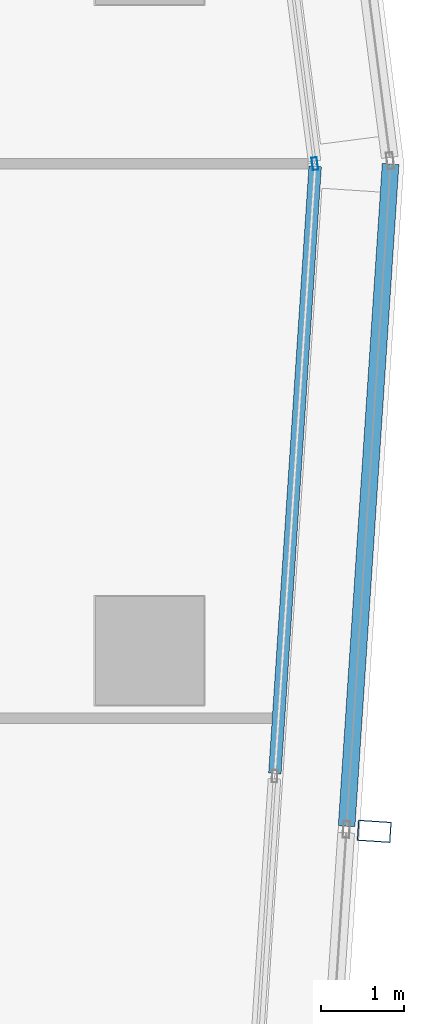
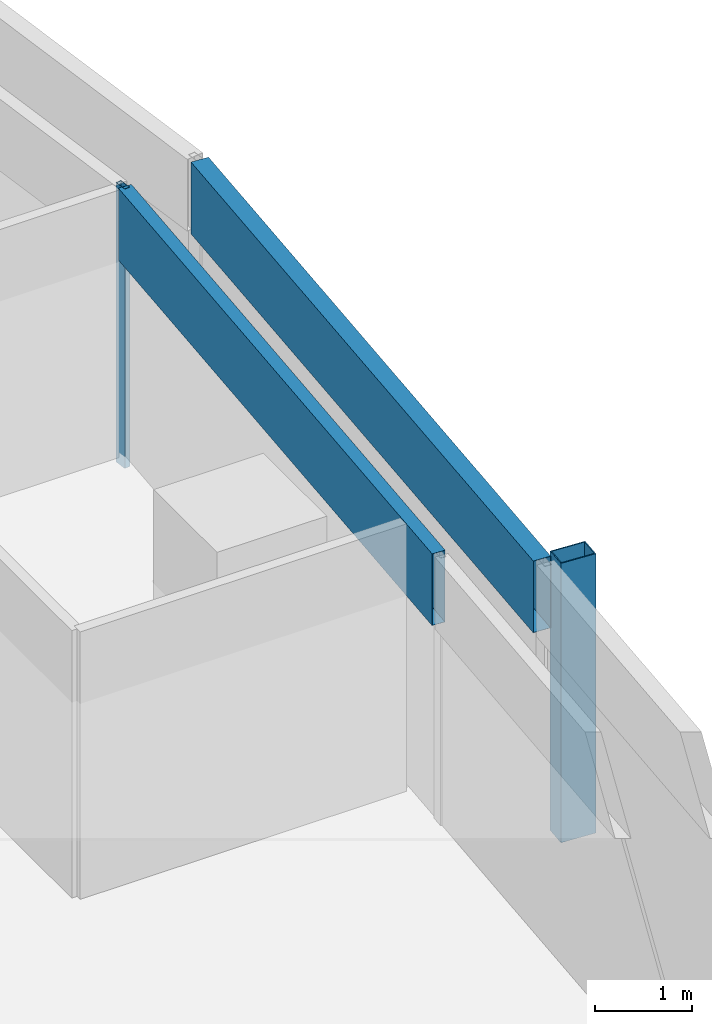
# One storey, part 13 of 29: 4 members, 3 elements without a shape of their own.
"""IFC4 building model written with IfcOpenShell, lengths in metres."""

from ifc_helpers import new_model, si_unit, direction, frame, origin, origin_2d, place, context, subcontext, project, spatial, hollow_rectangle, extrude, material, material_profile, profile_set, type_object, element, aggregate, save


model = new_model("IFC4")

# Units and contexts
model_context = context("Model", 3, precision=1e-05, world=origin(), true_north=direction((0.0, 1.0)))
body_context = subcontext(model_context, "Body", "Model", "MODEL_VIEW")
ifc_project = project(units=[si_unit("LENGTHUNIT", "METRE"), si_unit("AREAUNIT", "SQUARE_METRE"), si_unit("VOLUMEUNIT", "CUBIC_METRE"), si_unit("PLANEANGLEUNIT", "RADIAN"), si_unit("MASSUNIT", "GRAM", prefix="KILO")], contexts=[model_context])

# Site, building, storey
site_placement = place(None, origin())
site = spatial("IfcSite", under=ifc_project, at=site_placement, CompositionType="ELEMENT")
building_placement = place(site_placement, origin())
building = spatial("IfcBuilding", under=site, at=building_placement, Name="Rekha Terrace Tower", CompositionType="ELEMENT")
storey_placement = place(building_placement, frame((0.0, 0.0, 276.35009765625)))
storey = spatial("IfcBuildingStorey", under=building, at=storey_placement, Name="L70", CompositionType="ELEMENT", Elevation=276.35009765625)

# Curtain wall, member
ifc_material_1 = material(Name="Aluminium framing", Category="aluminium")
curtain_wall_type_1 = type_object("IfcCurtainWallType", Name="CW2 double skin outer glazing", PredefinedType="USERDEFINED", material=ifc_material_1)
curtain_wall_1_placement = place(storey_placement, origin())
curtain_wall_1 = element("IfcCurtainWall", 1, at=curtain_wall_1_placement, inside=storey, type_object=curtain_wall_type_1, Name="CW2 double skin outer glazing", ObjectType="DOUBLE SKIN OUTER GLAZING", PredefinedType="USERDEFINED")
ifc_material_2 = material(Name="Steel S355 with fluorocarbon finish", Category="steel")
ifc_material_profile_1 = material_profile(ifc_material_2, hollow_rectangle(XDim=0.25, YDim=0.39990234375, WallThickness=0.012451171875, at=origin_2d()), Name="RHS400x250x12.5")
ifc_profile_set_1 = profile_set([ifc_material_profile_1], Name="Steel S355 with fluorocarbon finish")
member_type_1 = type_object("IfcMemberType", Name="BL1 facade blade RHS 400 x 250", PredefinedType="USERDEFINED", material=ifc_profile_set_1)
member_1_placement = place(storey_placement, frame((61.49365234375, 31.435302734375, 0.0), z_axis=(0.0, 0.0, 1.0), x_axis=(0.066272158908, 0.99780158396, 0.0)))
member_1 = element("IfcMember", 2, at=member_1_placement, type_object=member_type_1, Name="Facade blade", ObjectType="FACADE BLADE", PredefinedType="USERDEFINED", context=body_context, shape_type="SweptSolid", body=[
    extrude(hollow_rectangle(XDim=0.25, YDim=0.39990234375, WallThickness=0.012451171875, at=origin_2d()), origin(), (0.0, 0.0, 1.0), 3.5),
])

curtain_wall_type_2 = type_object("IfcCurtainWallType", Name="CW1 double skin inner glazing", PredefinedType="USERDEFINED", material=ifc_material_1)
curtain_wall_2_placement = place(storey_placement, origin())
curtain_wall_2 = element("IfcCurtainWall", 3, at=curtain_wall_2_placement, inside=storey, type_object=curtain_wall_type_2, Name="CW1 double skin inner glazing", ObjectType="DOUBLE SKIN INNER GLAZING", PredefinedType="USERDEFINED")
ifc_material_3 = material(Name="Aluminium mullion section", Category="aluminium")
ifc_material_profile_2 = material_profile(ifc_material_3, hollow_rectangle(XDim=0.06494140625, YDim=0.14990234375, WallThickness=0.00390625, at=origin_2d()), Name="AL RHS 65x150")
ifc_profile_set_2 = profile_set([ifc_material_profile_2], Name="Aluminium mullion section")
member_type_2 = type_object("IfcMemberType", Name="CW1 mullion RHS 65 x 150", PredefinedType="MULLION", material=ifc_profile_set_2)
member_2_placement = place(storey_placement, frame((60.78125, 39.439208984375, 0.0), z_axis=(0.0, 0.0, 1.0), x_axis=(-0.991790949472, -0.127869904766, 0.0)))
member_2 = element("IfcMember", 4, at=member_2_placement, type_object=member_type_2, Name="CW1 mullion 1", PredefinedType="MULLION", context=body_context, shape_type="SweptSolid", body=[
    extrude(hollow_rectangle(XDim=0.06494140625, YDim=0.14990234375, WallThickness=0.00390625, at=origin_2d()), origin(), (0.0, 0.0, 1.0), 3.5),
])
aggregate(curtain_wall_2, [member_2])

curtain_wall_3_placement = place(storey_placement, origin())
curtain_wall_3 = element("IfcCurtainWall", 5, at=curtain_wall_3_placement, inside=storey, type_object=curtain_wall_type_2, Name="CW1 double skin inner glazing", ObjectType="DOUBLE SKIN INNER GLAZING", PredefinedType="USERDEFINED")
ifc_material_4 = material(Name="Insulated aluminium spandrel box", Category="aluminium")
ifc_material_profile_3 = material_profile(ifc_material_4, hollow_rectangle(XDim=0.14990234375, YDim=0.89990234375, WallThickness=0.0029296875, at=origin_2d()), Name="AL SPANDREL BOX 150x900")
ifc_profile_set_3 = profile_set([ifc_material_profile_3], Name="Insulated aluminium spandrel box")
member_type_3 = type_object("IfcMemberType", Name="CW1 spandrel transom 150 x 900", PredefinedType="USERDEFINED", material=ifc_profile_set_3)
member_3_placement = place(storey_placement, frame((60.302001953125, 32.129150390625, 3.0498046875), z_axis=(0.066274633038, 0.99780141963, 0.0), x_axis=(-0.99780141963, 0.066274633038, 0.0)))
member_3 = element("IfcMember", 6, at=member_3_placement, type_object=member_type_3, Name="CW1 spandrel transom 3", ObjectType="TRANSOM", PredefinedType="USERDEFINED", context=body_context, shape_type="SweptSolid", body=[
    extrude(hollow_rectangle(XDim=0.14990234375, YDim=0.89990234375, WallThickness=0.0029296875, at=origin_2d()), origin(), (0.0, 0.0, 1.0), 7.2939453125),
])
aggregate(curtain_wall_3, [member_3])

# Member
ifc_material_profile_4 = material_profile(ifc_material_4, hollow_rectangle(XDim=0.199951171875, YDim=0.89990234375, WallThickness=0.0029296875, at=origin_2d()), Name="AL SPANDREL BOX 200x900")
ifc_profile_set_4 = profile_set([ifc_material_profile_4], Name="Insulated aluminium spandrel box")
member_type_4 = type_object("IfcMemberType", Name="CW2 spandrel transom 200 x 900", PredefinedType="USERDEFINED", material=ifc_profile_set_4)
member_4_placement = place(storey_placement, frame((61.162109375, 31.497314453125, 3.0498046875), z_axis=(0.066258284658, 0.997802505366, 0.0), x_axis=(-0.997802505366, 0.066258284658, 0.0)))
member_4 = element("IfcMember", 7, at=member_4_placement, type_object=member_type_4, Name="CW2 spandrel transom 3", ObjectType="TRANSOM", PredefinedType="USERDEFINED", context=body_context, shape_type="SweptSolid", body=[
    extrude(hollow_rectangle(XDim=0.199951171875, YDim=0.89990234375, WallThickness=0.0029296875, at=origin_2d()), origin(), (0.0, 0.0, 1.0), 7.955322265625),
])

aggregate(curtain_wall_1, [member_4, member_1])

save(model, "model.ifc")
